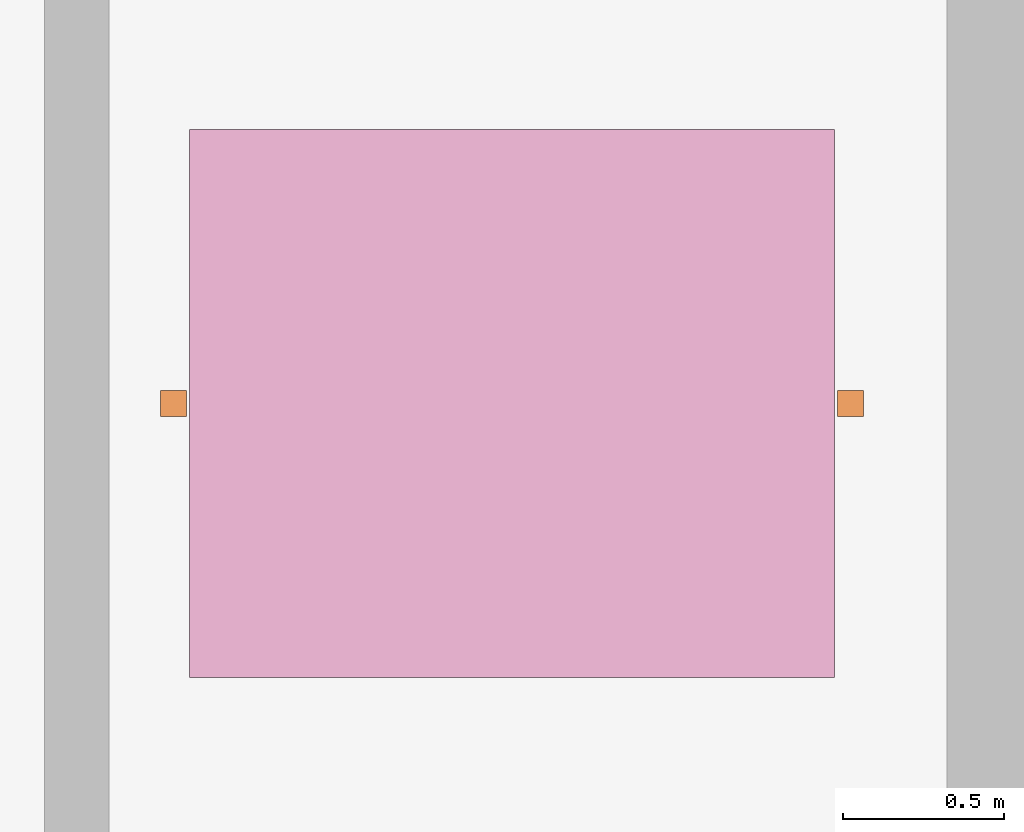
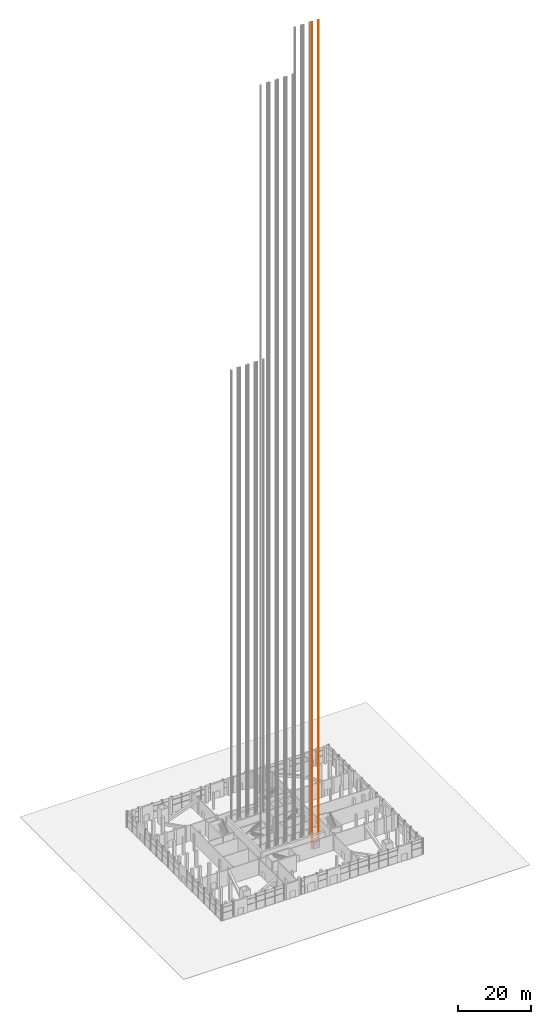
# One storey, part 23 of 27: 2 proxies, 1 transport element.
"""IFC4 building model written with IfcOpenShell, lengths in metres."""

from ifc_helpers import new_model, si_unit, direction, frame, origin, origin_2d, place, context, subcontext, project, spatial, rectangle, extrude, material, type_object, element, aggregate, save


model = new_model("IFC4")

# Units and contexts
model_context = context("Model", 3, precision=1e-05, world=origin(), true_north=direction((0.0, 1.0)))
body_context = subcontext(model_context, "Body", "Model", "MODEL_VIEW")
ifc_project = project(units=[si_unit("LENGTHUNIT", "METRE"), si_unit("AREAUNIT", "SQUARE_METRE"), si_unit("VOLUMEUNIT", "CUBIC_METRE"), si_unit("PLANEANGLEUNIT", "RADIAN"), si_unit("MASSUNIT", "GRAM", prefix="KILO")], contexts=[model_context])

# Site, building, storey
site_placement = place(None, origin())
site = spatial("IfcSite", under=ifc_project, at=site_placement, CompositionType="ELEMENT")
building_placement = place(site_placement, origin())
building = spatial("IfcBuilding", under=site, at=building_placement, Name="Turquesa Mirador Hotel Tower", CompositionType="ELEMENT")
storey_placement = place(building_placement, origin())
storey = spatial("IfcBuildingStorey", under=building, at=storey_placement, Name="L00", CompositionType="ELEMENT", Elevation=0.0)

# Transport element, proxies
ifc_material_1 = material(Name="Stainless steel lift car", Category="steel")
transport_element_type = type_object("IfcTransportElementType", Name="PASSENGER LIFT 1600 KG", PredefinedType="ELEVATOR", material=ifc_material_1)
transport_element_placement = place(storey_placement, frame((63.050048828125, 36.949951171875, 0.0), z_axis=(0.0, 0.0, 1.0), x_axis=(1.0, 0.0, 0.0)))
transport_element = element("IfcTransportElement", 1, at=transport_element_placement, inside=storey, type_object=transport_element_type, Name="Lift X3", PredefinedType="ELEVATOR", context=body_context, shape_type="SweptSolid", body=[
    extrude(rectangle(XDim=2.0, YDim=1.699951171875, at=origin_2d()), origin(), (0.0, 0.0, 1.0), 2.39990234375),
])
ifc_material_2 = material(Name="Steel ASTM A992 Grade 50", Category="steel")
building_element_proxy_type = type_object("IfcBuildingElementProxyType", Name="LIFT GUIDE RAIL 80X80", PredefinedType="USERDEFINED", material=ifc_material_2)
proxy_1_placement = place(storey_placement, frame((62.0, 36.949951171875, 0.0), z_axis=(0.0, 0.0, 1.0), x_axis=(1.0, 0.0, 0.0)))
proxy_1 = element("IfcBuildingElementProxy", 2, at=proxy_1_placement, type_object=building_element_proxy_type, Name="Lift X3 guide rail 1", ObjectType="LIFT GUIDE RAIL", PredefinedType="USERDEFINED", context=body_context, shape_type="SweptSolid", body=[
    extrude(rectangle(XDim=0.080078125, YDim=0.080078125, at=origin_2d()), origin(), (0.0, 0.0, 1.0), 277.10009765625),
])
proxy_2_placement = place(storey_placement, frame((64.10009765625, 36.949951171875, 0.0), z_axis=(0.0, 0.0, 1.0), x_axis=(1.0, 0.0, 0.0)))
proxy_2 = element("IfcBuildingElementProxy", 3, at=proxy_2_placement, type_object=building_element_proxy_type, Name="Lift X3 guide rail 2", ObjectType="LIFT GUIDE RAIL", PredefinedType="USERDEFINED", context=body_context, shape_type="SweptSolid", body=[
    extrude(rectangle(XDim=0.080078125, YDim=0.080078125, at=origin_2d()), origin(), (0.0, 0.0, 1.0), 277.10009765625),
])
aggregate(transport_element, [proxy_1, proxy_2])

save(model, "model.ifc")
